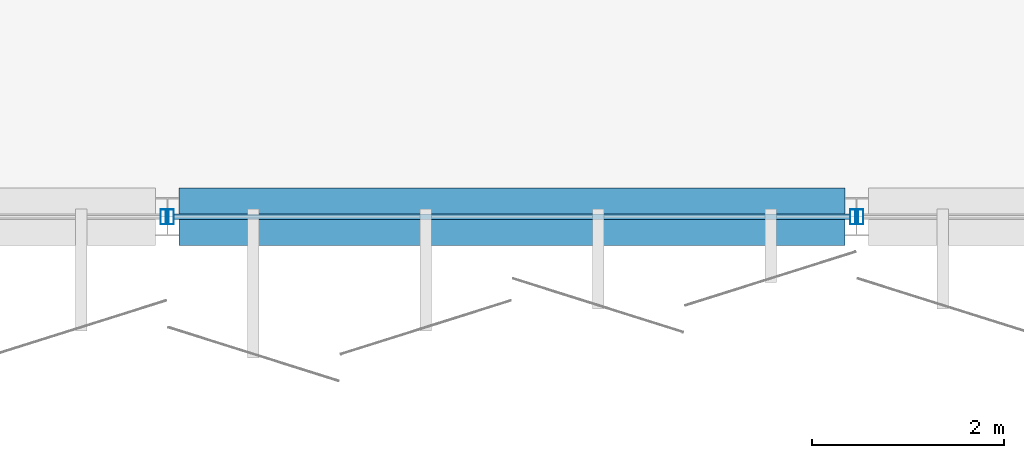
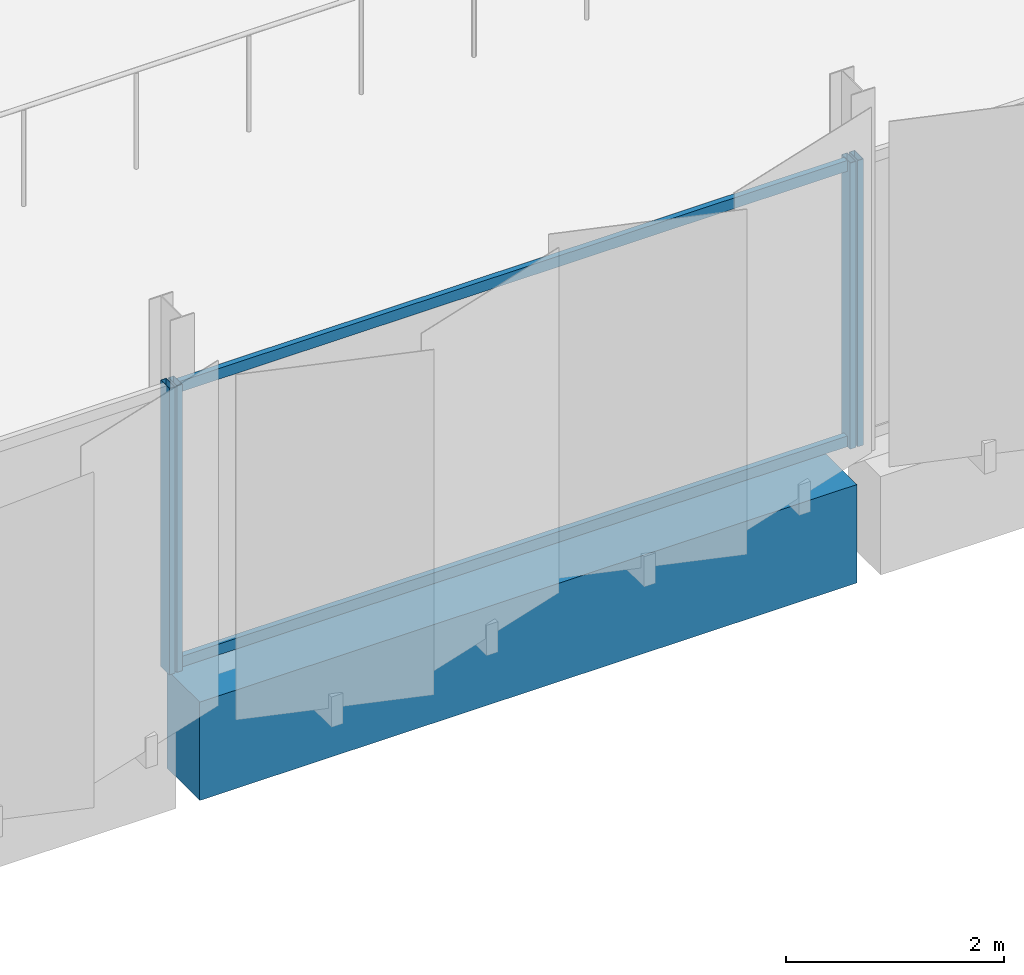
# One storey, part 30 of 107: 6 members, 1 beam, 3 elements without a shape of their own.
"""IFC4 building model written with IfcOpenShell, lengths in metres."""

from ifc_helpers import new_model, si_unit, direction, frame, origin, origin_2d, place, context, subcontext, project, spatial, rectangle, hollow_rectangle, extrude, material, layer, layer_set, material_profile, profile_set, type_object, element, aggregate, save


model = new_model("IFC4")

# Units and contexts
model_context = context("Model", 3, precision=1e-05, world=origin(), true_north=direction((0.0, 1.0)))
body_context = subcontext(model_context, "Body", "Model", "MODEL_VIEW")
ifc_project = project(units=[si_unit("LENGTHUNIT", "METRE"), si_unit("AREAUNIT", "SQUARE_METRE"), si_unit("VOLUMEUNIT", "CUBIC_METRE"), si_unit("PLANEANGLEUNIT", "RADIAN"), si_unit("MASSUNIT", "GRAM", prefix="KILO")], contexts=[model_context])

# Site, building, storey
site_placement = place(None, origin())
site = spatial("IfcSite", under=ifc_project, at=site_placement, CompositionType="ELEMENT")
building_placement = place(site_placement, origin())
building = spatial("IfcBuilding", under=site, at=building_placement, Name="Kangsadwip Square Police Headquarters", CompositionType="ELEMENT")
storey_placement = place(building_placement, frame((0.0, 0.0, 5.39990234375)))
storey = spatial("IfcBuildingStorey", under=building, at=storey_placement, Name="L01", CompositionType="ELEMENT", Elevation=5.39990234375)

# Curtain wall, member
ifc_material_1 = material(Name="Thermally broken anodised aluminium AW-6063-T6", Category="aluminium")
ifc_layer = layer(ifc_material_1, 0.159912109375)
ifc_layer_set = layer_set([ifc_layer], Name="Thermally broken anodised aluminium AW-6063-T6")
curtain_wall_type = type_object("IfcCurtainWallType", Name="CourtScreen7180x3200", PredefinedType="USERDEFINED", material=ifc_layer_set)
curtain_wall_1_placement = place(storey_placement, origin())
curtain_wall_1 = element("IfcCurtainWall", 1, at=curtain_wall_1_placement, inside=storey, type_object=curtain_wall_type, Name="Curtain Wall CW-L01-0432-0864", ObjectType="GLAZED_SCREEN", PredefinedType="USERDEFINED")
ifc_material_2 = material(Name="Thermally broken anodised aluminium AW-6063-T6", Category="aluminium")
ifc_material_profile_1 = material_profile(ifc_material_2, hollow_rectangle(XDim=0.06005859375, YDim=0.159912109375, WallThickness=0.00390625, at=origin_2d()), Name="CWM 160X60X4")
ifc_profile_set_1 = profile_set([ifc_material_profile_1], Name="Thermally broken anodised aluminium AW-6063-T6")
member_type_1 = type_object("IfcMemberType", Name="CwMullion135x60", PredefinedType="MULLION", material=ifc_profile_set_1)
member_1_placement = place(storey_placement, frame((50.360107421875, 86.39990234375, 0.0), z_axis=(0.0, 0.0, 1.0), x_axis=(1.0, 0.0, 0.0)))
member_1 = element("IfcMember", 2, at=member_1_placement, type_object=member_type_1, Name="CW-17 mullion 2", PredefinedType="MULLION", context=body_context, shape_type="SweptSolid", body=[
    extrude(hollow_rectangle(XDim=0.06005859375, YDim=0.159912109375, WallThickness=0.00390625, at=origin_2d()), origin(), (0.0, 0.0, 1.0), 3.2001953125),
])
aggregate(curtain_wall_1, [member_1])

# Curtain wall, members
curtain_wall_2_placement = place(storey_placement, origin())
curtain_wall_2 = element("IfcCurtainWall", 3, at=curtain_wall_2_placement, inside=storey, type_object=curtain_wall_type, Name="Curtain Wall CW-L01-0504-0864", ObjectType="GLAZED_SCREEN", PredefinedType="USERDEFINED")
member_2_placement = place(storey_placement, frame((50.43994140625, 86.39990234375, 0.0), z_axis=(0.0, 0.0, 1.0), x_axis=(1.0, 0.0, 0.0)))
member_2 = element("IfcMember", 4, at=member_2_placement, type_object=member_type_1, Name="CW-17 mullion 1", PredefinedType="MULLION", context=body_context, shape_type="SweptSolid", body=[
    extrude(hollow_rectangle(XDim=0.06005859375, YDim=0.159912109375, WallThickness=0.00390625, at=origin_2d()), origin(), (0.0, 0.0, 1.0), 3.2001953125),
])
member_3_placement = place(storey_placement, frame((57.56005859375, 86.39990234375, 0.0), z_axis=(0.0, 0.0, 1.0), x_axis=(1.0, 0.0, 0.0)))
member_3 = element("IfcMember", 5, at=member_3_placement, type_object=member_type_1, Name="CW-17 mullion 2", PredefinedType="MULLION", context=body_context, shape_type="SweptSolid", body=[
    extrude(hollow_rectangle(XDim=0.06005859375, YDim=0.159912109375, WallThickness=0.00390625, at=origin_2d()), origin(), (0.0, 0.0, 1.0), 3.2001953125),
])

# Curtain wall, member
curtain_wall_3_placement = place(storey_placement, origin())
curtain_wall_3 = element("IfcCurtainWall", 6, at=curtain_wall_3_placement, inside=storey, type_object=curtain_wall_type, Name="Curtain Wall CW-L01-0576-0864", ObjectType="GLAZED_SCREEN", PredefinedType="USERDEFINED")
member_4_placement = place(storey_placement, frame((57.639892578125, 86.39990234375, 0.0), z_axis=(0.0, 0.0, 1.0), x_axis=(1.0, 0.0, 0.0)))
member_4 = element("IfcMember", 7, at=member_4_placement, type_object=member_type_1, Name="CW-17 mullion 1", PredefinedType="MULLION", context=body_context, shape_type="SweptSolid", body=[
    extrude(hollow_rectangle(XDim=0.06005859375, YDim=0.159912109375, WallThickness=0.00390625, at=origin_2d()), origin(), (0.0, 0.0, 1.0), 3.2001953125),
])
aggregate(curtain_wall_3, [member_4])

# Member
ifc_material_3 = material(Name="Thermally broken anodised aluminium AW-6063-T6", Category="aluminium")
ifc_material_profile_2 = material_profile(ifc_material_3, hollow_rectangle(XDim=0.06005859375, YDim=0.1201171875, WallThickness=0.00390625, at=origin_2d()), Name="CWT 120X60X4")
ifc_profile_set_2 = profile_set([ifc_material_profile_2], Name="Thermally broken anodised aluminium AW-6063-T6")
member_type_2 = type_object("IfcMemberType", Name="CwTransom120x55", PredefinedType="USERDEFINED", material=ifc_profile_set_2)
member_5_placement = place(storey_placement, frame((50.469970703125, 86.39990234375, 0.06005859375), z_axis=(1.0, 0.0, 0.0), x_axis=(0.0, 1.0, 0.0)))
member_5 = element("IfcMember", 8, at=member_5_placement, type_object=member_type_2, Name="CW-17 transom 1.1", ObjectType="TRANSOM", PredefinedType="USERDEFINED", context=body_context, shape_type="SweptSolid", body=[
    extrude(hollow_rectangle(XDim=0.06005859375, YDim=0.1201171875, WallThickness=0.00390625, at=origin_2d()), origin(), (0.0, 0.0, 1.0), 7.06005859375),
])

member_6_placement = place(storey_placement, frame((50.469970703125, 86.39990234375, 3.14013671875), z_axis=(1.0, 0.0, 0.0), x_axis=(0.0, 1.0, 0.0)))
member_6 = element("IfcMember", 9, at=member_6_placement, type_object=member_type_2, Name="CW-17 transom 1.2", ObjectType="TRANSOM", PredefinedType="USERDEFINED", context=body_context, shape_type="SweptSolid", body=[
    extrude(hollow_rectangle(XDim=0.06005859375, YDim=0.1201171875, WallThickness=0.00390625, at=origin_2d()), origin(), (0.0, 0.0, 1.0), 7.06005859375),
])

aggregate(curtain_wall_2, [member_2, member_3, member_5, member_6])

# Beam
ifc_material_4 = material(Name="Concrete M40 (40 MPa)", Category="concrete")
ifc_material_profile_3 = material_profile(ifc_material_4, rectangle(XDim=0.60009765625, YDim=1.10009765625, at=origin_2d()), Name="RC TG 1100X600")
ifc_profile_set_3 = profile_set([ifc_material_profile_3], Name="Concrete M40 (40 MPa)")
beam_type = type_object("IfcBeamType", Name="RcTransfer1100x600", PredefinedType="USERDEFINED", material=ifc_profile_set_3)
beam_placement = place(storey_placement, frame((50.52490234375, 86.39990234375, -0.789794921875), z_axis=(1.0, 0.0, 0.0), x_axis=(0.0, 1.0, 0.0)))
element("IfcBeam", 10, at=beam_placement, inside=storey, type_object=beam_type, Name="Beam BM-L01-X-07-12", ObjectType="TRANSFER_GIRDER", PredefinedType="USERDEFINED", context=body_context, shape_type="SweptSolid", body=[
    extrude(rectangle(XDim=0.60009765625, YDim=1.10009765625, at=origin_2d()), origin(), (0.0, 0.0, 1.0), 6.9501953125),
])

save(model, "model.ifc")
